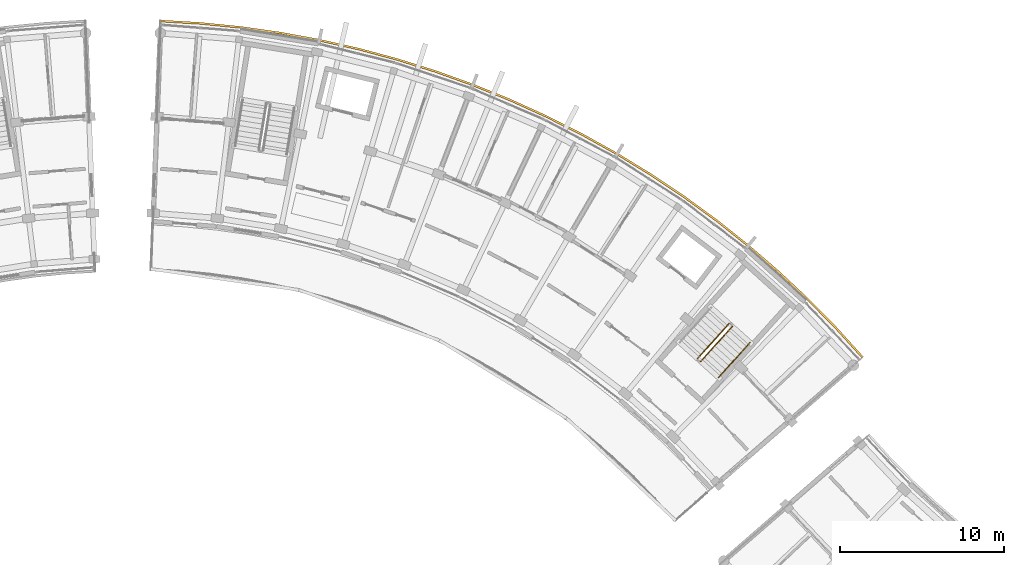
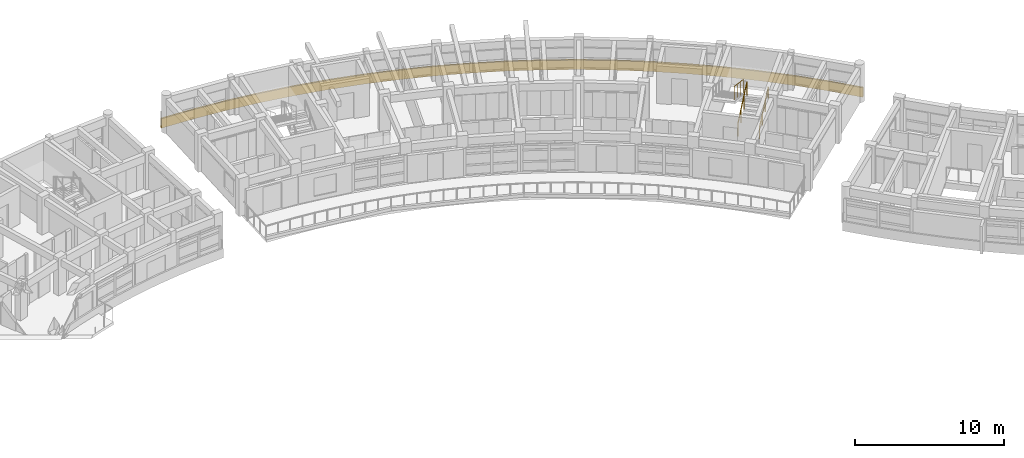
# One storey, part 37 of 38: 4 railings.
"""IFC4 building model written with IfcOpenShell, lengths in metres."""

from ifc_helpers import new_model, si_unit, direction, frame, origin, origin_2d, place, context, subcontext, project, spatial, polyline, circle, outline, extrude, material, type_object, element, save


model = new_model("IFC4")

# Units and contexts
model_context = context("Model", 3, precision=1e-05, world=origin(), true_north=direction((0.0, 1.0)))
body_context = subcontext(model_context, "Body", "Model", "MODEL_VIEW")
ifc_project = project(units=[si_unit("LENGTHUNIT", "METRE"), si_unit("AREAUNIT", "SQUARE_METRE"), si_unit("VOLUMEUNIT", "CUBIC_METRE"), si_unit("PLANEANGLEUNIT", "RADIAN"), si_unit("MASSUNIT", "GRAM", prefix="KILO")], contexts=[model_context])

# Site, building, storey
site_placement = place(None, origin())
site = spatial("IfcSite", under=ifc_project, at=site_placement, CompositionType="ELEMENT")
building_placement = place(site_placement, origin())
building = spatial("IfcBuilding", under=site, at=building_placement, Name="Zimvara Arc Housing Community", CompositionType="ELEMENT")
storey_placement = place(building_placement, frame((0.0, 0.0, 29.800048828125)))
storey = spatial("IfcBuildingStorey", under=building, at=storey_placement, Name="L09", CompositionType="ELEMENT", Elevation=29.800048828125)

# Railings
ifc_material_1 = material(Name="Anodised Aluminium AW-6063", Category="aluminium")
railing_type_1 = type_object("IfcRailingType", Name="RLG-BAL-1120", PredefinedType="BALUSTRADE", material=ifc_material_1)
railing_1_placement = place(storey_placement, frame((80.1455078125, 83.365966796875, 0.155029296875)))
element("IfcRailing", 1, at=railing_1_placement, inside=storey, type_object=railing_type_1, Name="L09 ST-B2 stair guard 1", PredefinedType="BALUSTRADE", context=body_context, shape_type="SweptSolid", body=[
    extrude(circle(Radius=0.02392578125, at=origin_2d()), frame((0.0, 0.0, 1.09619140625), z_axis=(0.601231728384, 0.668248248038, 0.438137749775), x_axis=(-0.743400174344, 0.668846903847, 0.0)), (0.0, 0.0, 1.0), 3.18408203125),
    extrude(circle(Radius=0.02099609375, at=origin_2d()), origin(), (0.0, 0.0, 1.0), 1.072021484375),
    extrude(circle(Radius=0.02099609375, at=origin_2d()), frame((0.63818359375, 0.709228515625, 0.465087890625)), (0.0, 0.0, 1.0), 1.072021484375),
    extrude(circle(Radius=0.02099609375, at=origin_2d()), frame((1.276123046875, 1.41845703125, 0.929931640625)), (0.0, 0.0, 1.0), 1.072021484375),
    extrude(circle(Radius=0.02099609375, at=origin_2d()), frame((1.914306640625, 2.127685546875, 1.39501953125)), (0.0, 0.0, 1.0), 1.072021484375),
])
railing_2_placement = place(storey_placement, frame((81.866455078125, 85.66748046875, 1.704833984375)))
element("IfcRailing", 2, at=railing_2_placement, inside=storey, type_object=railing_type_1, Name="L09 ST-B2 stair guard 3", PredefinedType="BALUSTRADE", context=body_context, shape_type="SweptSolid", body=[
    extrude(circle(Radius=0.02392578125, at=origin_2d()), frame((0.0, 0.0, 1.09619140625), z_axis=(-0.601262536038, -0.668205807809, 0.438160200347), x_axis=(0.743362010683, -0.668889319, 0.0)), (0.0, 0.0, 1.0), 3.183837890625),
    extrude(circle(Radius=0.02099609375, at=origin_2d()), origin(), (0.0, 0.0, 1.0), 1.072021484375),
    extrude(circle(Radius=0.02099609375, at=origin_2d()), frame((-0.63818359375, -0.709228515625, 0.465087890625)), (0.0, 0.0, 1.0), 1.072021484375),
    extrude(circle(Radius=0.02099609375, at=origin_2d()), frame((-1.276123046875, -1.418212890625, 0.929931640625)), (0.0, 0.0, 1.0), 1.072021484375),
    extrude(circle(Radius=0.02099609375, at=origin_2d()), frame((-1.914306640625, -2.12744140625, 1.39501953125)), (0.0, 0.0, 1.0), 1.072021484375),
])
ifc_material_2 = material(Name="Pale-Gold Anodised Aluminium AW-6063", Category="aluminium")
railing_type_2 = type_object("IfcRailingType", Name="RLG-FAS-780", PredefinedType="BALUSTRADE", material=ifc_material_2)
railing_3_placement = place(storey_placement, frame((0.0, 0.0, -0.219970703125)))
element("IfcRailing", 3, at=railing_3_placement, inside=storey, type_object=railing_type_2, Name="rlg:blkB:L09:gold_out", PredefinedType="BALUSTRADE", context=body_context, shape_type="SweptSolid", body=[
    extrude(outline(polyline([(47.286376953125, 104.01611328125), (49.71435546875, 103.873046875), (52.134765625, 103.631103515625), (54.54296875, 103.29052734375), (56.935546875, 102.851806640625), (59.307861328125, 102.31591796875), (61.65673828125, 101.68359375), (63.9775390625, 100.955810546875), (66.266845703125, 100.1337890625), (68.5205078125, 99.218994140625), (70.735107421875, 98.213134765625), (72.90673828125, 97.11767578125), (75.03173828125, 95.934326171875), (77.106689453125, 94.665283203125), (79.128173828125, 93.3125), (81.0927734375, 91.87841796875), (82.9970703125, 90.365234375), (84.837890625, 88.775634765625), (86.612548828125, 87.112060546875), (88.317626953125, 85.377685546875), (89.950439453125, 83.574951171875), (90.041015625, 83.653564453125), (88.40478515625, 85.4599609375), (86.6962890625, 87.197998046875), (84.918212890625, 88.86474609375), (83.073486328125, 90.457763671875), (81.165283203125, 91.973876953125), (79.197021484375, 93.410888671875), (77.17138671875, 94.766357421875), (75.09228515625, 96.037841796875), (72.962890625, 97.2236328125), (70.786865234375, 98.3212890625), (68.56787109375, 99.329345703125), (66.3095703125, 100.245849609375), (64.015625, 101.069580078125), (61.690185546875, 101.798583984375), (59.3369140625, 102.432373046875), (56.95947265625, 102.969482421875), (54.562255859375, 103.408935546875), (52.149169921875, 103.750244140625), (49.723876953125, 103.99267578125), (47.291015625, 104.135986328125), (47.286376953125, 104.01611328125)])), origin(), (0.0, 0.0, 1.0), 0.780029296875),
])
ifc_material_3 = material(Name="Anodised Aluminium AW-6063", Category="aluminium")
railing_type_3 = type_object("IfcRailingType", Name="RLG-HND-900", PredefinedType="HANDRAIL", material=ifc_material_3)
railing_4_placement = place(storey_placement, frame((81.230712890625, 82.389404296875, 0.155029296875)))
element("IfcRailing", 4, at=railing_4_placement, inside=storey, type_object=railing_type_3, Name="L09 ST-B2 stair handrail 1", PredefinedType="HANDRAIL", context=body_context, shape_type="SweptSolid", body=[
    extrude(circle(Radius=0.02392578125, at=origin_2d()), frame((0.0, 0.0, 0.8759765625), z_axis=(0.601231728384, 0.668248248038, 0.438137749775), x_axis=(-0.743400174344, 0.668846903847, 0.0)), (0.0, 0.0, 1.0), 3.18408203125),
    extrude(circle(Radius=0.02099609375, at=origin_2d()), origin(), (0.0, 0.0, 1.0), 0.851806640625),
    extrude(circle(Radius=0.02099609375, at=origin_2d()), frame((0.63818359375, 0.709228515625, 0.465087890625)), (0.0, 0.0, 1.0), 0.851806640625),
    extrude(circle(Radius=0.02099609375, at=origin_2d()), frame((1.276123046875, 1.41845703125, 0.929931640625)), (0.0, 0.0, 1.0), 0.851806640625),
    extrude(circle(Radius=0.02099609375, at=origin_2d()), frame((1.914306640625, 2.127685546875, 1.39501953125)), (0.0, 0.0, 1.0), 0.851806640625),
])

save(model, "model.ifc")
